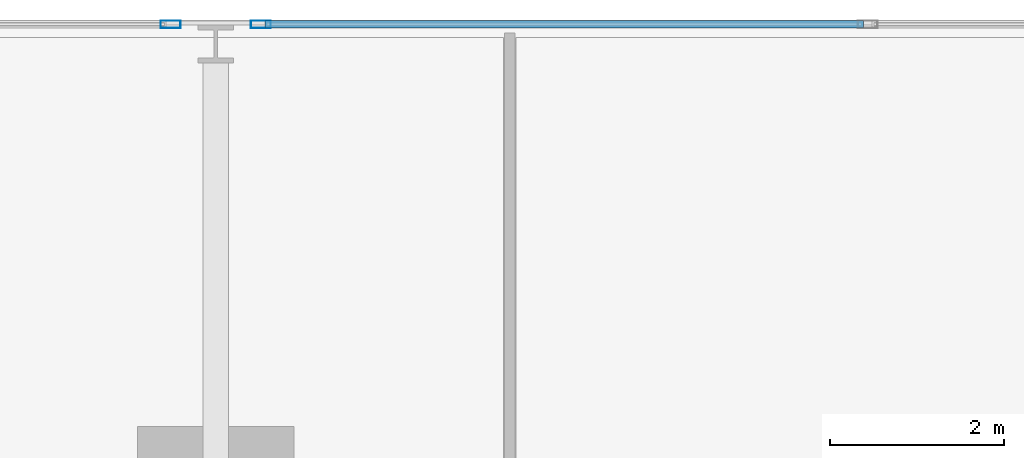
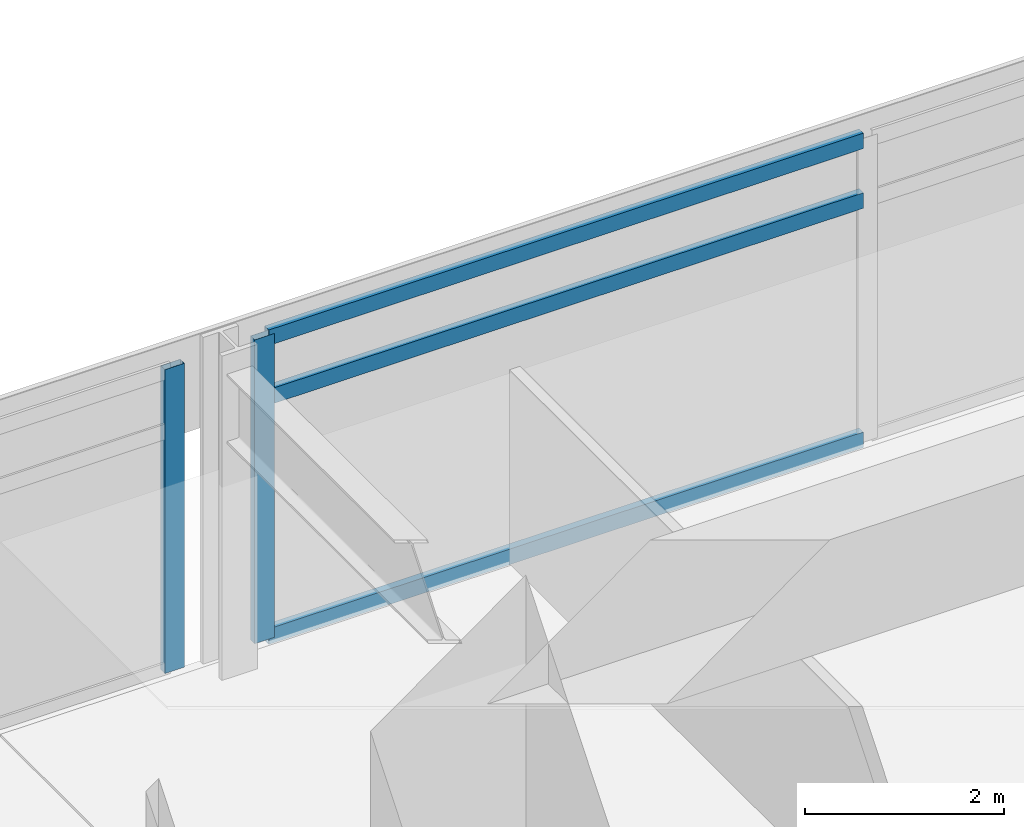
# One storey, part 8 of 23: 5 members, 2 elements without a shape of their own.
"""IFC4 building model written with IfcOpenShell, lengths in metres."""

import ifcopenshell
import ifcopenshell.guid

model = None  # the IFC model being written
_history = None  # IfcOwnerHistory: only IFC2X3 demands one
_inside = {}  # id of a spatial element -> (the spatial element, [elements in it])
_under = {}  # id of a project, library or spatial element -> (it, [spatial elements below it])
_declared = {}  # id of a project -> (the project, [libraries it declares])
_typed = {}  # id of a type object -> (the type object, [elements of that type])
_made_of = {}  # id of a material, layer set ... -> (it, [elements and type objects made of it])


def new_model(schema):
    """Start an empty IFC model of exactly this schema.

    Asked for "IFC4X3", IfcOpenShell would pick the latest addendum, in which some entities
    have other attributes; the version numbers below select the first issue.
    IFC2X3 requires an IfcOwnerHistory on every rooted entity: one is made here for all.
    """
    global model, _history
    if schema == "IFC4X3":
        model = ifcopenshell.file(schema_version=(4, 3, 0, 0))
    else:
        model = ifcopenshell.file(schema=schema)
    _inside.clear()
    _under.clear()
    _declared.clear()
    _typed.clear()
    _made_of.clear()
    _history = None
    if model.schema == "IFC2X3":
        org = make("IfcOrganization", Name="unknown")
        user = make(
            "IfcPersonAndOrganization",
            ThePerson=make("IfcPerson", FamilyName="unknown"),
            TheOrganization=org,
        )
        app = make(
            "IfcApplication",
            ApplicationDeveloper=org,
            Version="unknown",
            ApplicationFullName="unknown",
            ApplicationIdentifier="unknown",
        )
        _history = make(
            "IfcOwnerHistory",
            OwningUser=user,
            OwningApplication=app,
            ChangeAction="ADDED",
            CreationDate=0,
        )
    return model


def make(cls, **values):
    """One entity of the class cls with the attributes given. An attribute that is None is left unset."""
    return model.create_entity(
        cls, **{name: value for name, value in values.items() if value is not None}
    )


def rooted(cls, **values):
    """An entity with a GlobalId (a new one), such as an element, a storey or a relation."""
    return make(cls, GlobalId=ifcopenshell.guid.new(), OwnerHistory=_history, **values)


def si_unit(unit_type, name, prefix=None):
    """IfcSIUnit, for example si_unit("LENGTHUNIT", "METRE", prefix="MILLI")."""
    return make("IfcSIUnit", UnitType=unit_type, Prefix=prefix, Name=name)


def assignment(units):
    """IfcUnitAssignment: the units of a project."""
    return None if units is None else make("IfcUnitAssignment", Units=units)


def point(xyz):
    """IfcCartesianPoint."""
    return None if xyz is None else make("IfcCartesianPoint", Coordinates=xyz)


def direction(xyz):
    """IfcDirection."""
    return None if xyz is None else make("IfcDirection", DirectionRatios=xyz)


def frame(location, z_axis=None, x_axis=None):
    """IfcAxis2Placement3D, a coordinate frame: its origin and axes. An axis left out is left unset."""
    return make(
        "IfcAxis2Placement3D",
        Location=point(location),
        Axis=direction(z_axis),
        RefDirection=direction(x_axis),
    )


def frame_2d(location, x_axis=None):
    """IfcAxis2Placement2D, a coordinate frame in the plane: its origin and x axis."""
    return make(
        "IfcAxis2Placement2D", Location=point(location), RefDirection=direction(x_axis)
    )


def origin():
    """The frame at (0, 0, 0) with its axes left unset."""
    return frame((0.0, 0.0, 0.0))


def origin_2d():
    """The frame at (0, 0) in the plane with its x axis left unset."""
    return frame_2d((0.0, 0.0))


def place(relative_to, where):
    """IfcLocalPlacement: puts the frame where relative to a parent placement (None: the world)."""
    return make(
        "IfcLocalPlacement", PlacementRelTo=relative_to, RelativePlacement=where
    )


def context(
    kind, dimensions, precision=None, world=None, true_north=None, identifier=None
):
    """IfcGeometricRepresentationContext, for example the 3D "Model" context."""
    return make(
        "IfcGeometricRepresentationContext",
        ContextIdentifier=identifier,
        ContextType=kind,
        CoordinateSpaceDimension=dimensions,
        Precision=precision,
        WorldCoordinateSystem=world,
        TrueNorth=true_north,
    )


def subcontext(parent, identifier, kind, view, scale=None):
    """IfcGeometricRepresentationSubContext, for example "Body" below "Model"."""
    return make(
        "IfcGeometricRepresentationSubContext",
        ContextIdentifier=identifier,
        ContextType=kind,
        ParentContext=parent,
        TargetScale=scale,
        TargetView=view,
    )


def project(units=None, contexts=None):
    """IfcProject with its units and contexts."""
    return rooted(
        "IfcProject",
        Name="project",
        RepresentationContexts=contexts,
        UnitsInContext=assignment(units),
    )


def spatial(cls, under=None, at=None, **own):
    """A site, building, storey or space (cls), placed at a placement, below another one or the project."""
    s = rooted(cls, ObjectPlacement=at, **own)
    if under is not None:
        _under.setdefault(under.id(), (under, []))[1].append(s)
    return s


def profile(cls, at=None, kind="AREA", **sizes):
    """A parametric profile (cls). Its sizes go by their IFC names, for example OverallWidth=200.0."""
    return make(cls, ProfileType=kind, Position=at, **sizes)


def hollow_rectangle(**sizes):
    """IfcRectangleHollowProfileDef."""
    return profile("IfcRectangleHollowProfileDef", **sizes)


def extrude(swept, where, along, depth):
    """IfcExtrudedAreaSolid: the profile swept, set in the frame where, extruded along a direction by depth."""
    return make(
        "IfcExtrudedAreaSolid",
        SweptArea=swept,
        Position=where,
        ExtrudedDirection=direction(along),
        Depth=depth,
    )


def shape(context_of_items, identifier, shape_type, items):
    """IfcShapeRepresentation: the items that make up one representation, for example the "Body"."""
    return make(
        "IfcShapeRepresentation",
        ContextOfItems=context_of_items,
        RepresentationIdentifier=identifier,
        RepresentationType=shape_type,
        Items=items,
    )


def material(Name=None, Category=None):
    """IfcMaterial."""
    return make("IfcMaterial", Name=Name, Category=Category)


def material_profile(
    of_material, cross_section, Name=None, Category=None, Priority=None
):
    """IfcMaterialProfile: a cross section and its material."""
    return make(
        "IfcMaterialProfile",
        Name=Name,
        Material=of_material,
        Profile=cross_section,
        Priority=Priority,
        Category=Category,
    )


def profile_set(profiles, Name=None, composite=None):
    """IfcMaterialProfileSet."""
    return make(
        "IfcMaterialProfileSet",
        Name=Name,
        MaterialProfiles=profiles,
        CompositeProfile=composite,
    )


def made_of(thing, what):
    """Note that an element or type object is made of a material, layer set ...; save() writes the relation."""
    if what is not None:
        _made_of.setdefault(what.id(), (what, []))[1].append(thing)
    return thing


def type_object(cls, material=None, **own):
    """A type object (cls), such as IfcWallType, which elements share."""
    return made_of(rooted(cls, **own), material)


def element(
    cls,
    number,
    at=None,
    inside=None,
    cuts=None,
    type_object=None,
    material=None,
    context=None,
    identifier="Body",
    shape_type=None,
    held_by="IfcProductDefinitionShape",
    body=None,
    shapes=None,
    **own,
):
    """One element of the class cls, such as IfcWall. Its Tag is "e" and its number.

    at: its placement. inside: the storey or other place that contains it. cuts: it is an
    opening in that element (IfcRelVoidsElement). A single representation is given by context,
    identifier, shape_type and body (its items); several are given by shapes. held_by: the class
    of the entity that holds the representations. save() writes the other relations.
    """
    e = rooted(cls, Tag="e%d" % number, ObjectPlacement=at, **own)
    if body is not None:
        shapes = [shape(context, identifier, shape_type, body)]
    if shapes is not None:
        e.Representation = make(held_by, Representations=shapes)
    if inside is not None:
        _inside.setdefault(inside.id(), (inside, []))[1].append(e)
    if cuts is not None:
        rooted(
            "IfcRelVoidsElement", RelatingBuildingElement=cuts, RelatedOpeningElement=e
        )
    if type_object is not None:
        _typed.setdefault(type_object.id(), (type_object, []))[1].append(e)
    return made_of(e, material)


def aggregate(whole, parts):
    """IfcRelAggregates: a whole, such as a stair, and the parts it consists of."""
    return rooted("IfcRelAggregates", RelatingObject=whole, RelatedObjects=parts)


def save(model, path):
    """Write the relations noted so far, then the file.

    IfcRelAggregates (storeys below a building ...), IfcRelContainedInSpatialStructure (elements
    in a storey), IfcRelDefinesByType, IfcRelAssociatesMaterial and IfcRelDeclares: one each for
    every whole, place, type object, material and project.
    """
    for whole, parts in _under.values():
        aggregate(whole, parts)
    for where, things in _inside.values():
        rooted(
            "IfcRelContainedInSpatialStructure",
            RelatedElements=things,
            RelatingStructure=where,
        )
    for kind, things in _typed.values():
        rooted("IfcRelDefinesByType", RelatedObjects=things, RelatingType=kind)
    for what, things in _made_of.values():
        rooted("IfcRelAssociatesMaterial", RelatedObjects=things, RelatingMaterial=what)
    for by, libraries in _declared.values():
        rooted("IfcRelDeclares", RelatingContext=by, RelatedDefinitions=libraries)
    model.write(path)


model = new_model("IFC4")

# Units and contexts
model_context = context("Model", 3, precision=1e-05, world=origin(), true_north=direction((0.0, 1.0)))
body_context = subcontext(model_context, "Body", "Model", "MODEL_VIEW")
ifc_project = project(units=[si_unit("LENGTHUNIT", "METRE"), si_unit("AREAUNIT", "SQUARE_METRE"), si_unit("VOLUMEUNIT", "CUBIC_METRE"), si_unit("PLANEANGLEUNIT", "RADIAN"), si_unit("MASSUNIT", "GRAM", prefix="KILO")], contexts=[model_context])

# Site, building, storey
site_placement = place(None, origin())
site = spatial("IfcSite", under=ifc_project, at=site_placement, CompositionType="ELEMENT")
building_placement = place(site_placement, origin())
building = spatial("IfcBuilding", under=site, at=building_placement, Name="Kovane Verandah Tower", CompositionType="ELEMENT")
storey_placement = place(building_placement, frame((0.0, 0.0, 55.60009765625)))
storey = spatial("IfcBuildingStorey", under=building, at=storey_placement, Name="L12", CompositionType="ELEMENT", Elevation=55.60009765625)

# Curtain wall, member
ifc_material_1 = material(Name="Champagne Anodised Aluminium Frame with Low-E Clear Laminated Glass", Category="aluminium")
curtain_wall_type = type_object("IfcCurtainWallType", Name="CW-SYS-02-LOW", PredefinedType="NOTDEFINED", material=ifc_material_1)
curtain_wall_1_placement = place(storey_placement, origin())
curtain_wall_1 = element("IfcCurtainWall", 1, at=curtain_wall_1_placement, inside=storey, type_object=curtain_wall_type, Name="L12 N Unitised Curtain Wall-2", PredefinedType="NOTDEFINED")
ifc_material_2 = material(Name="Champagne Anodised Aluminium 6063-T6", Category="aluminium")
ifc_material_profile_1 = material_profile(ifc_material_2, hollow_rectangle(XDim=0.0849609375, YDim=0.22998046875, WallThickness=0.00390625, at=origin_2d()), Name="AL85x230x4")
ifc_profile_set_1 = profile_set([ifc_material_profile_1], Name="Champagne Anodised Aluminium 6063-T6")
member_type_1 = type_object("IfcMemberType", Name="CW-MUL-85x230", PredefinedType="MULLION", material=ifc_profile_set_1)
member_1_placement = place(storey_placement, frame((29.52001953125, 49.727294921875, 0.02001953125), z_axis=(0.0, 0.0, 1.0), x_axis=(0.0, 1.0, 0.0)))
member_1 = element("IfcMember", 2, at=member_1_placement, type_object=member_type_1, Name="L12 N Unitised Curtain Wall-2 Mullion 4", PredefinedType="MULLION", context=body_context, shape_type="SweptSolid", body=[
    extrude(hollow_rectangle(XDim=0.0849609375, YDim=0.22998046875, WallThickness=0.00390625, at=origin_2d()), origin(), (0.0, 0.0, 1.0), 3.719970703125),
])

curtain_wall_2_placement = place(storey_placement, origin())
curtain_wall_2 = element("IfcCurtainWall", 3, at=curtain_wall_2_placement, inside=storey, type_object=curtain_wall_type, Name="L12 N Unitised Curtain Wall-3", PredefinedType="NOTDEFINED")
member_2_placement = place(storey_placement, frame((28.47998046875, 49.727294921875, 0.02001953125), z_axis=(0.0, 0.0, 1.0), x_axis=(0.0, 1.0, 0.0)))
member_2 = element("IfcMember", 4, at=member_2_placement, type_object=member_type_1, Name="L12 N Unitised Curtain Wall-3 Mullion 1", PredefinedType="MULLION", context=body_context, shape_type="SweptSolid", body=[
    extrude(hollow_rectangle(XDim=0.0849609375, YDim=0.22998046875, WallThickness=0.00390625, at=origin_2d()), origin(), (0.0, 0.0, 1.0), 3.719970703125),
])
aggregate(curtain_wall_2, [member_2])

# Member
ifc_material_profile_2 = material_profile(ifc_material_2, hollow_rectangle(XDim=0.0849609375, YDim=0.18994140625, WallThickness=0.00390625, at=origin_2d()), Name="AL85x190x4")
ifc_profile_set_2 = profile_set([ifc_material_profile_2], Name="Champagne Anodised Aluminium 6063-T6")
member_type_2 = type_object("IfcMemberType", Name="CW-TRN-85x190", PredefinedType="USERDEFINED", material=ifc_profile_set_2)
member_3_placement = place(storey_placement, frame((36.456787109375, 49.727294921875, 0.0498046875), z_axis=(-1.0, 0.0, 0.0), x_axis=(0.0, -1.0, 0.0)))
member_3 = element("IfcMember", 5, at=member_3_placement, type_object=member_type_2, Name="L12 N Unitised Curtain Wall-2 Transom TB Bay 3", ObjectType="TRANSOM", PredefinedType="USERDEFINED", context=body_context, shape_type="SweptSolid", body=[
    extrude(hollow_rectangle(XDim=0.0849609375, YDim=0.18994140625, WallThickness=0.00390625, at=origin_2d()), origin(), (0.0, 0.0, 1.0), 6.88671875),
])

member_4_placement = place(storey_placement, frame((36.456787109375, 49.727294921875, 2.97998046875), z_axis=(-1.0, 0.0, 0.0), x_axis=(0.0, -1.0, 0.0)))
member_4 = element("IfcMember", 6, at=member_4_placement, type_object=member_type_2, Name="L12 N Unitised Curtain Wall-2 Transom TM Bay 3", ObjectType="TRANSOM", PredefinedType="USERDEFINED", context=body_context, shape_type="SweptSolid", body=[
    extrude(hollow_rectangle(XDim=0.0849609375, YDim=0.18994140625, WallThickness=0.00390625, at=origin_2d()), origin(), (0.0, 0.0, 1.0), 6.88671875),
])

member_5_placement = place(storey_placement, frame((36.456787109375, 49.727294921875, 3.7099609375), z_axis=(-1.0, 0.0, 0.0), x_axis=(0.0, -1.0, 0.0)))
member_5 = element("IfcMember", 7, at=member_5_placement, type_object=member_type_2, Name="L12 N Unitised Curtain Wall-2 Transom TT Bay 3", ObjectType="TRANSOM", PredefinedType="USERDEFINED", context=body_context, shape_type="SweptSolid", body=[
    extrude(hollow_rectangle(XDim=0.0849609375, YDim=0.18994140625, WallThickness=0.00390625, at=origin_2d()), origin(), (0.0, 0.0, 1.0), 6.88671875),
])

aggregate(curtain_wall_1, [member_1, member_3, member_4, member_5])

save(model, "model.ifc")
